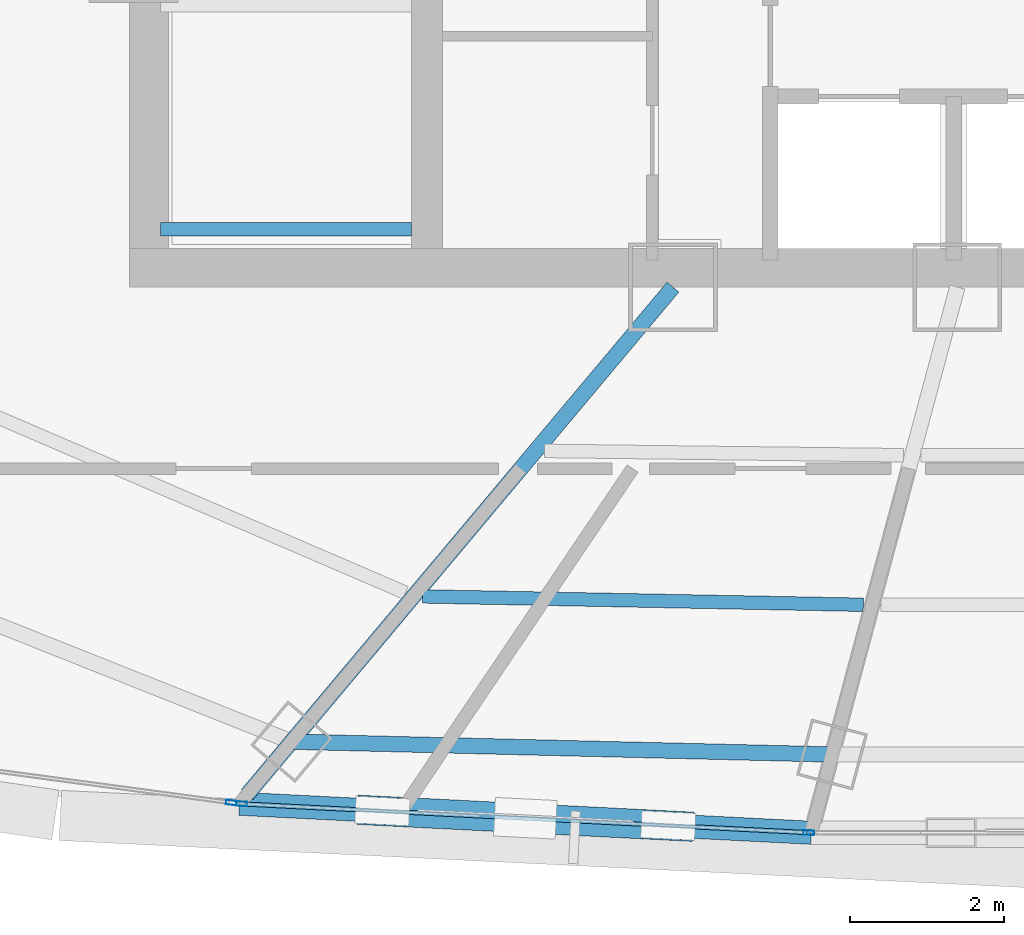
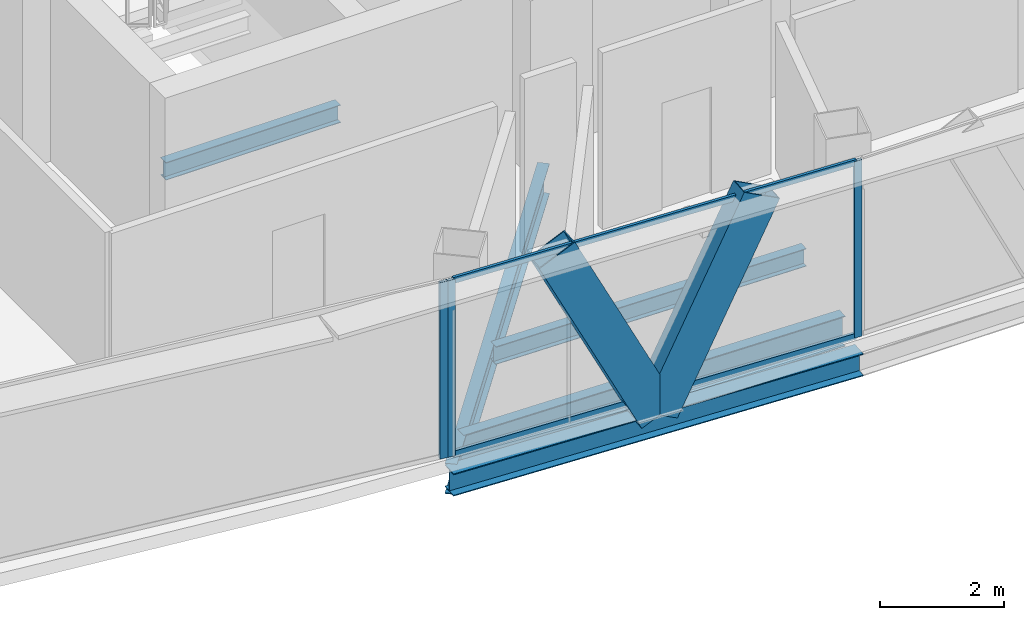
# One storey, part 6 of 33: 7 members, 5 beams, 2 elements without a shape of their own.
"""IFC4 building model written with IfcOpenShell, lengths in metres."""

from ifc_helpers import new_model, si_unit, direction, frame, origin, origin_2d, place, context, subcontext, project, spatial, hollow_rectangle, i_section, extrude, source, transform, mapped, material, layer, layer_set, material_profile, profile_set, type_object, element, aggregate, save


model = new_model("IFC4")

# Units and contexts
model_context = context("Model", 3, precision=1e-05, world=origin(), true_north=direction((0.0, 1.0)))
body_context = subcontext(model_context, "Body", "Model", "MODEL_VIEW")
ifc_project = project(units=[si_unit("LENGTHUNIT", "METRE"), si_unit("AREAUNIT", "SQUARE_METRE"), si_unit("VOLUMEUNIT", "CUBIC_METRE"), si_unit("PLANEANGLEUNIT", "RADIAN"), si_unit("MASSUNIT", "GRAM", prefix="KILO"), si_unit("THERMODYNAMICTEMPERATUREUNIT", "KELVIN"), si_unit("POWERUNIT", "WATT")], contexts=[model_context])

# Site, building, storey
site_placement = place(None, origin())
site = spatial("IfcSite", under=ifc_project, at=site_placement, CompositionType="ELEMENT")
building_placement = place(site_placement, origin())
building = spatial("IfcBuilding", under=site, at=building_placement, Name="Yunzhuo Pagoda Commons", CompositionType="ELEMENT")
storey_placement = place(building_placement, frame((0.0, 0.0, 311.1298828125)))
storey = spatial("IfcBuildingStorey", under=building, at=storey_placement, Name="L78", CompositionType="ELEMENT", Elevation=311.1298828125)

# Beams
ifc_material_1 = material(Name="Structural steel Q355B", Category="steel")
ifc_material_profile_1 = material_profile(ifc_material_1, i_section(OverallWidth=0.175048828125, OverallDepth=0.35009765625, WebThickness=0.007080078125, FlangeThickness=0.010986328125, at=origin_2d()), Name="Structural steel Q355B")
ifc_profile_set_1 = profile_set([ifc_material_profile_1], Name="Structural steel Q355B")
beam_type_1 = type_object("IfcBeamType", Name="B-JS2 Joist HN 350x175x7x11", PredefinedType="JOIST", material=ifc_profile_set_1)
shared_shape_1 = source(origin(), body_context, "Body", "SweptSolid", [
    extrude(i_section(OverallWidth=0.175048828125, OverallDepth=0.35009765625, WebThickness=0.007080078125, FlangeThickness=0.010986328125, at=origin_2d()), origin(), (0.0, 0.0, 1.0), 3.25),
])
beam_1_placement = place(storey_placement, frame((35.949951171875, 28.0, 1.490234375), z_axis=(1.0, 0.0, 0.0), x_axis=(0.0, 1.0, 0.0)))
element("IfcBeam", 1, at=beam_1_placement, inside=storey, type_object=beam_type_1, Name="L78 ST1 landing support beam 84A", PredefinedType="JOIST", context=body_context, shape_type="MappedRepresentation", body=[
    mapped(shared_shape_1, transform((0.0, 0.0, 0.0), scale=1.0)),
])
ifc_material_profile_2 = material_profile(ifc_material_1, i_section(OverallWidth=0.199951171875, OverallDepth=0.60009765625, WebThickness=0.010986328125, FlangeThickness=0.01708984375, at=origin_2d()), Name="Structural steel Q355B")
ifc_profile_set_2 = profile_set([ifc_material_profile_2], Name="Structural steel Q355B")
beam_type_2 = type_object("IfcBeamType", Name="B-RG3 Beam HN 600x200x11x17", PredefinedType="BEAM", material=ifc_profile_set_2)
shared_shape_2 = source(origin(), body_context, "Body", "SweptSolid", [
    extrude(i_section(OverallWidth=0.199951171875, OverallDepth=0.60009765625, WebThickness=0.010986328125, FlangeThickness=0.01708984375, at=origin_2d()), origin(), (0.0, 0.0, 1.0), 7.00439453125),
])
beam_2_placement = place(storey_placement, frame((37.64697265625, 21.361572265625, -0.559814453125), z_axis=(0.999719077883, -0.023701588905, 0.0), x_axis=(0.023701588905, 0.999719077883, 0.0)))
element("IfcBeam", 2, at=beam_2_placement, inside=storey, type_object=beam_type_2, Name="L78 column-ring beam 1", PredefinedType="BEAM", context=body_context, shape_type="MappedRepresentation", body=[
    mapped(shared_shape_2, transform((0.0, 0.0, 0.0), scale=1.0)),
])
shared_shape_3 = source(origin(), body_context, "Body", "SweptSolid", [
    extrude(i_section(OverallWidth=0.175048828125, OverallDepth=0.35009765625, WebThickness=0.007080078125, FlangeThickness=0.010986328125, at=origin_2d()), origin(), (0.0, 0.0, 1.0), 5.711669921875),
])
beam_3_placement = place(storey_placement, frame((39.343017578125, 23.24365234375, -0.434814453125), z_axis=(0.999819084998, -0.019020969297, 0.0), x_axis=(0.019020969297, 0.999819084998, 0.0)))
element("IfcBeam", 3, at=beam_3_placement, inside=storey, type_object=beam_type_1, Name="L78 composite ring joist 2.1", PredefinedType="JOIST", context=body_context, shape_type="MappedRepresentation", body=[
    mapped(shared_shape_3, transform((0.0, 0.0, 0.0), scale=1.0)),
])
shared_shape_4 = source(origin(), body_context, "Body", "SweptSolid", [
    extrude(i_section(OverallWidth=0.199951171875, OverallDepth=0.60009765625, WebThickness=0.010986328125, FlangeThickness=0.01708984375, at=origin_2d()), origin(), (0.0, 0.0, 1.0), 8.58203125),
])
beam_4_placement = place(storey_placement, frame((37.071533203125, 20.67578125, -0.559814453125), z_axis=(0.642783021027, 0.766048293438, 0.0), x_axis=(-0.766048293438, 0.642783021027, 0.0)))
element("IfcBeam", 4, at=beam_4_placement, inside=storey, type_object=beam_type_2, Name="L78 radial floor girder F1C1", PredefinedType="BEAM", context=body_context, shape_type="MappedRepresentation", body=[
    mapped(shared_shape_4, transform((0.0, 0.0, 0.0), scale=1.0)),
])
ifc_material_profile_3 = material_profile(ifc_material_1, i_section(OverallWidth=0.300048828125, OverallDepth=0.43994140625, WebThickness=0.010986328125, FlangeThickness=0.01806640625, at=origin_2d()), Name="Structural steel Q355B")
ifc_profile_set_3 = profile_set([ifc_material_profile_3], Name="Structural steel Q355B")
beam_type_3 = type_object("IfcBeamType", Name="B-SP2 Beam HM 440x300x11x18", PredefinedType="BEAM", material=ifc_profile_set_3)
shared_shape_5 = source(origin(), body_context, "Body", "SweptSolid", [
    extrude(i_section(OverallWidth=0.300048828125, OverallDepth=0.43994140625, WebThickness=0.010986328125, FlangeThickness=0.01806640625, at=origin_2d()), origin(), (0.0, 0.0, 1.0), 7.41552734375),
])
beam_5_placement = place(storey_placement, frame((36.971923828125, 20.55712890625, -0.47998046875), z_axis=(0.99871720168, -0.050635472431, 0.0), x_axis=(0.050635472431, 0.99871720168, 0.0)))
element("IfcBeam", 5, at=beam_5_placement, inside=storey, type_object=beam_type_3, Name="L78 facade edge spandrel beam F1.1", PredefinedType="BEAM", context=body_context, shape_type="MappedRepresentation", body=[
    mapped(shared_shape_5, transform((0.0, 0.0, 0.0), scale=1.0)),
])

# Members
ifc_material_profile_4 = material_profile(ifc_material_1, hollow_rectangle(XDim=0.3798828125, YDim=0.719970703125, WallThickness=0.02001953125, at=origin_2d()), Name="Structural steel Q355B")
ifc_profile_set_4 = profile_set([ifc_material_profile_4], Name="Structural steel Q355B")
member_type_1 = type_object("IfcMemberType", Name="M-DL3 Brace BOX 720x380x20", PredefinedType="BRACE", material=ifc_profile_set_4)
shared_shape_6 = source(origin(), body_context, "Body", "SweptSolid", [
    extrude(hollow_rectangle(XDim=0.3798828125, YDim=0.719970703125, WallThickness=0.02001953125, at=origin_2d()), origin(), (0.0, 0.0, 1.0), 4.165283203125),
])
for number, where, z_axis, x_axis, name in (
    (6, (40.6748046875, 20.369384765625, -0.259765625), (-0.444519483835, 0.022507315637, 0.895486375795), (-0.050568132333, -0.998720613581, 0.0), "L78 facade diamond brace F1.1L"),
    (7, (40.6748046875, 20.369384765625, -0.259765625), (0.444471863794, -0.022566486557, 0.895508523678), (0.050706150872, 0.99871361574, 0.0), "L78 facade diamond brace F1.1R"),
):
    element("IfcMember", number, at=place(storey_placement, frame(where, z_axis=z_axis, x_axis=x_axis)), inside=storey, type_object=member_type_1, Name=name, PredefinedType="BRACE", context=body_context, shape_type="MappedRepresentation", body=[
        mapped(shared_shape_6, transform((0.0, 0.0, 0.0), scale=1.0)),
    ])

# Curtain wall, members
ifc_material_2 = material(Name="Anodized aluminium 6063-T6", Category="aluminium")
ifc_layer = layer(ifc_material_2, 0.139892578125)
ifc_layer_set = layer_set([ifc_layer], Name="Anodized aluminium 6063-T6")
curtain_wall_type = type_object("IfcCurtainWallType", Name="CW-HI High-Zone Ribbon Curtain Wall", PredefinedType="NOTDEFINED", material=ifc_layer_set)
curtain_wall_1_placement = place(storey_placement, origin())
curtain_wall_1 = element("IfcCurtainWall", 8, at=curtain_wall_1_placement, inside=storey, type_object=curtain_wall_type, Name="L78 curtain wall CW-L78-F1B2", PredefinedType="NOTDEFINED")
ifc_material_profile_5 = material_profile(ifc_material_2, hollow_rectangle(XDim=0.06005859375, YDim=0.139892578125, WallThickness=0.00341796875, at=origin_2d()), Name="Anodized aluminium 6063-T6")
ifc_profile_set_5 = profile_set([ifc_material_profile_5], Name="Anodized aluminium 6063-T6")
member_type_2 = type_object("IfcMemberType", Name="CW-HI-M Mullion RHS 140x60x3.5", PredefinedType="MULLION", material=ifc_profile_set_5)
shared_shape_7 = source(origin(), body_context, "Body", "SweptSolid", [
    extrude(hollow_rectangle(XDim=0.06005859375, YDim=0.139892578125, WallThickness=0.00341796875, at=origin_2d()), origin(), (0.0, 0.0, 1.0), 3.47021484375),
])
member_1_placement = place(storey_placement, frame((37.001953125, 20.5556640625, 0.0), z_axis=(0.0, 0.0, 1.0), x_axis=(0.050692256518, 0.998714321079, 0.0)))
member_1 = element("IfcMember", 9, at=member_1_placement, type_object=member_type_2, Name="CW mullion 1", PredefinedType="MULLION", context=body_context, shape_type="MappedRepresentation", body=[
    mapped(shared_shape_7, transform((0.0, 0.0, 0.0), scale=1.0)),
])
member_2_placement = place(storey_placement, frame((44.34765625, 20.182861328125, 0.0), z_axis=(0.0, 0.0, 1.0), x_axis=(0.050692256518, 0.998714321079, 0.0)))
member_2 = element("IfcMember", 10, at=member_2_placement, type_object=member_type_2, Name="CW mullion 2", PredefinedType="MULLION", context=body_context, shape_type="MappedRepresentation", body=[
    mapped(shared_shape_7, transform((0.0, 0.0, 0.0), scale=1.0)),
])

# Curtain wall, member
curtain_wall_2_placement = place(storey_placement, origin())
curtain_wall_2 = element("IfcCurtainWall", 11, at=curtain_wall_2_placement, inside=storey, type_object=curtain_wall_type, Name="L78 curtain wall CW-L78-F1B1", PredefinedType="NOTDEFINED")
member_3_placement = place(storey_placement, frame((36.867919921875, 20.5712890625, 0.0), z_axis=(0.0, 0.0, 1.0), x_axis=(0.133518525759, 0.991046317424, 0.0)))
member_3 = element("IfcMember", 12, at=member_3_placement, type_object=member_type_2, Name="CW mullion 2", PredefinedType="MULLION", context=body_context, shape_type="MappedRepresentation", body=[
    mapped(shared_shape_7, transform((0.0, 0.0, 0.0), scale=1.0)),
])
aggregate(curtain_wall_2, [member_3])

# Member
ifc_material_profile_6 = material_profile(ifc_material_2, hollow_rectangle(XDim=0.054931640625, YDim=0.1201171875, WallThickness=0.00341796875, at=origin_2d()), Name="Anodized aluminium 6063-T6")
ifc_profile_set_6 = profile_set([ifc_material_profile_6], Name="Anodized aluminium 6063-T6")
member_type_3 = type_object("IfcMemberType", Name="CW-HI-T Transom RHS 120x55x3.5", PredefinedType="USERDEFINED", material=ifc_profile_set_6)
shared_shape_8 = source(origin(), body_context, "Body", "SweptSolid", [
    extrude(hollow_rectangle(XDim=0.054931640625, YDim=0.1201171875, WallThickness=0.00341796875, at=origin_2d()), origin(), (0.0, 0.0, 1.0), 7.29541015625),
])
member_4_placement = place(storey_placement, frame((37.03173828125, 20.55419921875, 0.027587890625), z_axis=(0.998713994516, -0.050698689911, 0.0), x_axis=(0.050698689911, 0.998713994516, 0.0)))
member_4 = element("IfcMember", 13, at=member_4_placement, type_object=member_type_3, Name="CW transom 1.1", ObjectType="TRANSOM", PredefinedType="USERDEFINED", context=body_context, shape_type="MappedRepresentation", body=[
    mapped(shared_shape_8, transform((0.0, 0.0, 0.0), scale=1.0)),
])

member_5_placement = place(storey_placement, frame((37.03173828125, 20.55419921875, 3.442626953125), z_axis=(0.998713994516, -0.050698689911, 0.0), x_axis=(0.050698689911, 0.998713994516, 0.0)))
member_5 = element("IfcMember", 14, at=member_5_placement, type_object=member_type_3, Name="CW transom 1.2", ObjectType="TRANSOM", PredefinedType="USERDEFINED", context=body_context, shape_type="MappedRepresentation", body=[
    mapped(shared_shape_8, transform((0.0, 0.0, 0.0), scale=1.0)),
])

aggregate(curtain_wall_1, [member_1, member_2, member_4, member_5])

save(model, "model.ifc")
